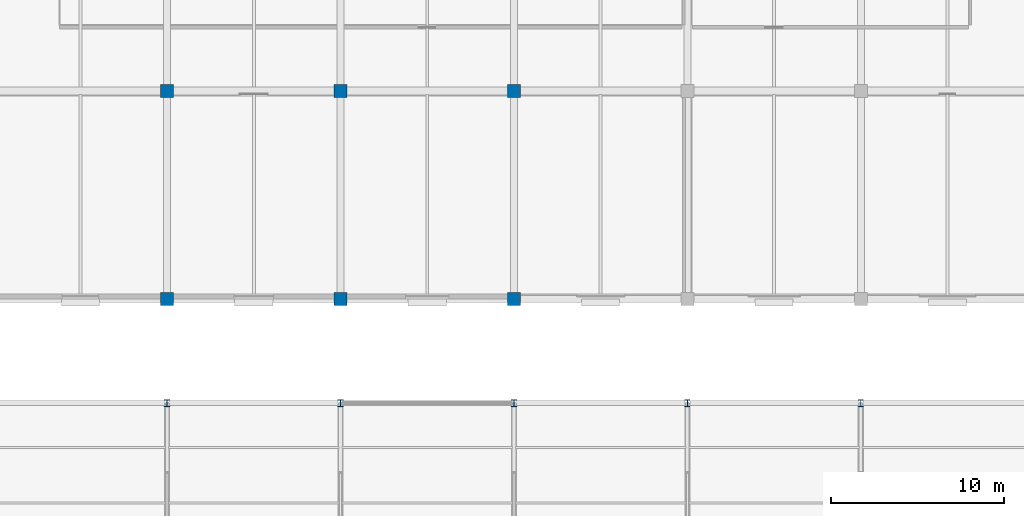
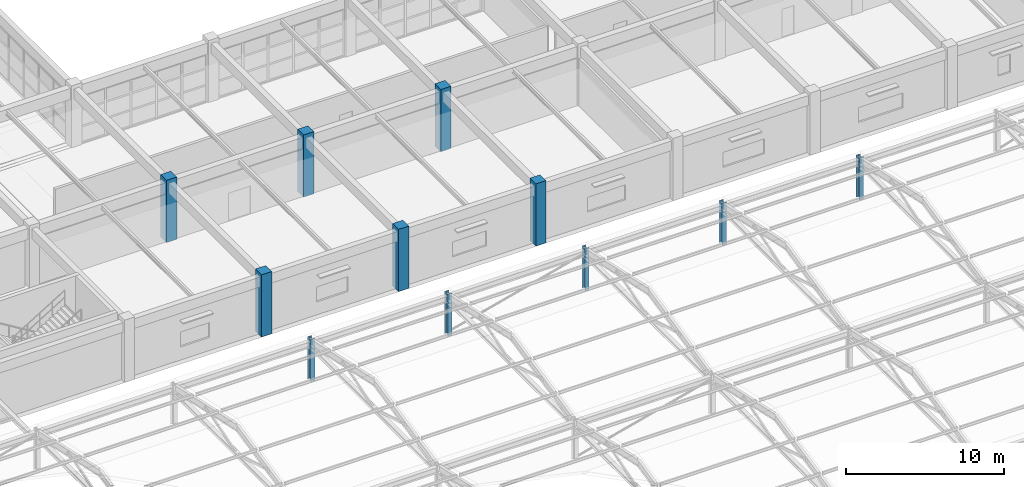
# One storey, part 12 of 109: 11 columns.
"""IFC4 building model written with IfcOpenShell, lengths in metres."""

from ifc_helpers import new_model, si_unit, direction, frame, origin, origin_2d, place, context, subcontext, project, spatial, rectangle, i_section, extrude, material, material_profile, profile_set, type_object, element, save


model = new_model("IFC4")

# Units and contexts
model_context = context("Model", 3, precision=1e-05, world=origin(), true_north=direction((0.0, 1.0)))
body_context = subcontext(model_context, "Body", "Model", "MODEL_VIEW")
ifc_project = project(units=[si_unit("LENGTHUNIT", "METRE"), si_unit("AREAUNIT", "SQUARE_METRE"), si_unit("VOLUMEUNIT", "CUBIC_METRE"), si_unit("PLANEANGLEUNIT", "RADIAN"), si_unit("MASSUNIT", "GRAM", prefix="KILO")], contexts=[model_context])

# Site, building, storey
site_placement = place(None, origin())
site = spatial("IfcSite", under=ifc_project, at=site_placement, CompositionType="ELEMENT")
building_placement = place(site_placement, origin())
building = spatial("IfcBuilding", under=site, at=building_placement, Name="Kivolera Central Railway Station", CompositionType="ELEMENT")
storey_placement = place(building_placement, frame((0.0, 0.0, 9.60009765625)))
storey = spatial("IfcBuildingStorey", under=building, at=storey_placement, Name="L02", CompositionType="ELEMENT", Elevation=9.60009765625)

# Columns
ifc_material_1 = material(Name="Concrete C40/50", Category="concrete")
ifc_material_profile_1 = material_profile(ifc_material_1, rectangle(XDim=0.75, YDim=0.75, at=origin_2d()), Name="RC 750x750")
ifc_profile_set_1 = profile_set([ifc_material_profile_1], Name="Concrete C40/50")
column_type_1 = type_object("IfcColumnType", Name="COL-RC-750", PredefinedType="COLUMN", material=ifc_profile_set_1)
for number, where, z_axis, x_axis, name in (
    (1, (138.0, 54.0, 0.0), (0.0, 0.0, 1.0), (1.0, 0.0, 0.0), "L02 Wing Column 14-E"),
    (2, (138.0, 66.0, 0.0), (0.0, 0.0, 1.0), (1.0, 0.0, 0.0), "L02 Wing Column 14-F"),
    (3, (148.0, 54.0, 0.0), (0.0, 0.0, 1.0), (1.0, 0.0, 0.0), "L02 Wing Column 15-E"),
    (4, (148.0, 66.0, 0.0), (0.0, 0.0, 1.0), (1.0, 0.0, 0.0), "L02 Wing Column 15-F"),
    (5, (158.0, 54.0, 0.0), (0.0, 0.0, 1.0), (1.0, 0.0, 0.0), "L02 Wing Column 16-E"),
    (6, (158.0, 66.0, 0.0), (0.0, 0.0, 1.0), (1.0, 0.0, 0.0), "L02 Wing Column 16-F"),
):
    element("IfcColumn", number, at=place(storey_placement, frame(where, z_axis=z_axis, x_axis=x_axis)), inside=storey, type_object=column_type_1, Name=name, PredefinedType="COLUMN", context=body_context, shape_type="SweptSolid", body=[
        extrude(rectangle(XDim=0.75, YDim=0.75, at=origin_2d()), origin(), (0.0, 0.0, 1.0), 4.7998046875),
    ])
ifc_material_2 = material(Name="Steel S355", Category="steel")
ifc_material_profile_2 = material_profile(ifc_material_2, i_section(OverallWidth=0.300048828125, OverallDepth=0.39990234375, WebThickness=0.013427734375, FlangeThickness=0.02392578125, FilletRadius=0.027099609375, at=origin_2d()), Name="HEB 400")
ifc_profile_set_2 = profile_set([ifc_material_profile_2], Name="Steel S355")
column_type_2 = type_object("IfcColumnType", Name="COL-STL-HEB400", PredefinedType="COLUMN", material=ifc_profile_set_2)
for number, where, z_axis, x_axis, name in (
    (7, (138.0, 48.0, 0.0), (0.0, 0.0, 1.0), (1.0, 0.0, 0.0), "L02 Train Shed Upper Mast 14-D"),
    (8, (148.0, 48.0, 0.0), (0.0, 0.0, 1.0), (1.0, 0.0, 0.0), "L02 Train Shed Upper Mast 15-D"),
    (9, (158.0, 48.0, 0.0), (0.0, 0.0, 1.0), (1.0, 0.0, 0.0), "L02 Train Shed Upper Mast 16-D"),
    (10, (168.0, 48.0, 0.0), (0.0, 0.0, 1.0), (1.0, 0.0, 0.0), "L02 Train Shed Upper Mast 17-D"),
    (11, (178.0, 48.0, 0.0), (0.0, 0.0, 1.0), (1.0, 0.0, 0.0), "L02 Train Shed Upper Mast 18-D"),
):
    element("IfcColumn", number, at=place(storey_placement, frame(where, z_axis=z_axis, x_axis=x_axis)), inside=storey, type_object=column_type_2, Name=name, PredefinedType="COLUMN", context=body_context, shape_type="SweptSolid", body=[
        extrude(i_section(OverallWidth=0.300048828125, OverallDepth=0.39990234375, WebThickness=0.013427734375, FlangeThickness=0.02392578125, FilletRadius=0.027099609375, at=origin_2d()), origin(), (0.0, 0.0, 1.0), 3.25),
    ])

save(model, "model.ifc")
